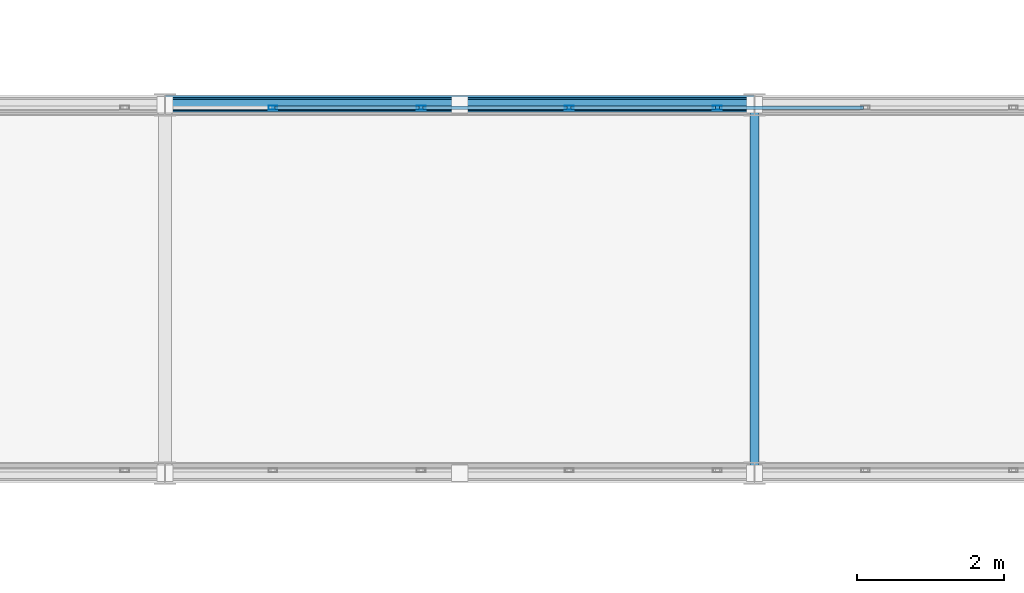
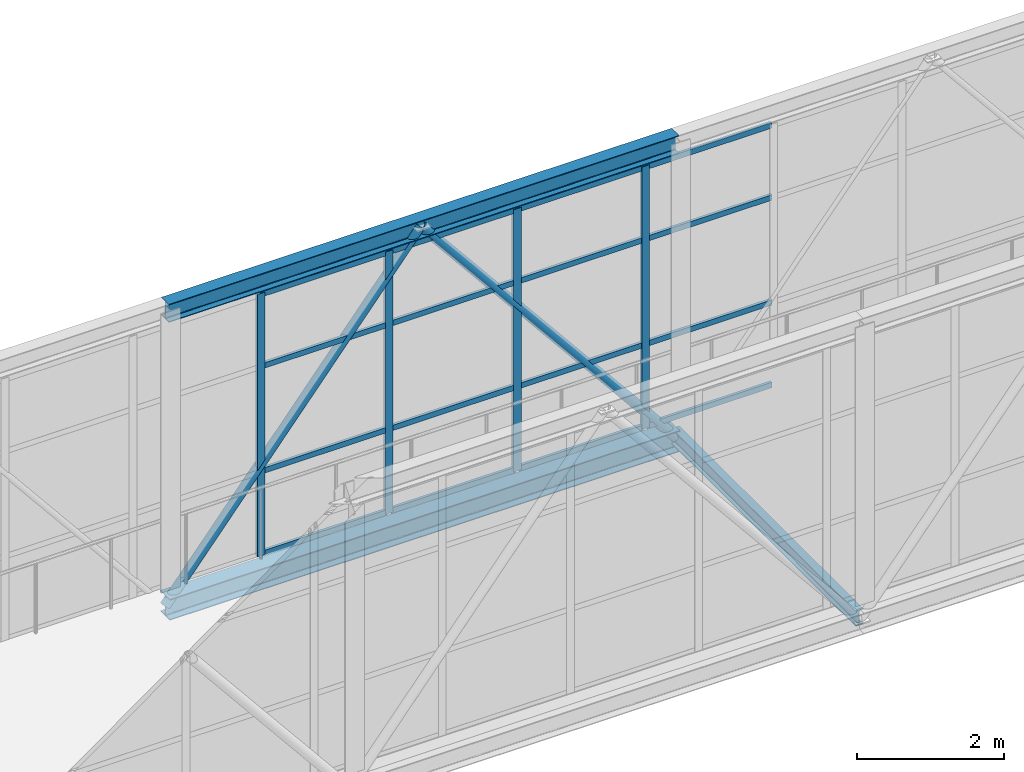
# One storey, part 94 of 248: 25 members, 1 element without a shape of its own.
"""IFC4 building model written with IfcOpenShell, lengths in metres."""

from ifc_helpers import new_model, si_unit, direction, frame, origin, origin_2d, place, context, subcontext, project, spatial, hollow_rectangle, hollow_circle, i_section, extrude, material, layer, layer_set, material_profile, profile_set, type_object, element, aggregate, save


model = new_model("IFC4")

# Units and contexts
model_context = context("Model", 3, precision=1e-05, world=origin(), true_north=direction((0.0, 1.0)))
body_context = subcontext(model_context, "Body", "Model", "MODEL_VIEW")
ifc_project = project(units=[si_unit("LENGTHUNIT", "METRE"), si_unit("AREAUNIT", "SQUARE_METRE"), si_unit("VOLUMEUNIT", "CUBIC_METRE"), si_unit("PLANEANGLEUNIT", "RADIAN"), si_unit("MASSUNIT", "GRAM", prefix="KILO")], contexts=[model_context])

# Site, building, storey
site_placement = place(None, origin())
site = spatial("IfcSite", under=ifc_project, at=site_placement, CompositionType="ELEMENT")
building_placement = place(site_placement, origin())
building = spatial("IfcBuilding", under=site, at=building_placement, Name="Canggui Botanical Conservatory", CompositionType="ELEMENT")
storey_placement = place(building_placement, frame((0.0, 0.0, 5.39990234375)))
storey = spatial("IfcBuildingStorey", under=building, at=storey_placement, Name="L02", CompositionType="ELEMENT", Elevation=5.39990234375)

# Curtain wall, members
ifc_material_1 = material(Name="Thermally Broken Aluminium", Category="aluminium")
ifc_layer = layer(ifc_material_1, 0.1201171875, Name="Thermally Broken Aluminium", Category="aluminium")
ifc_layer_set = layer_set([ifc_layer], Name="Thermally Broken Aluminium")
curtain_wall_type = type_object("IfcCurtainWallType", Name="CW-STICK-B", PredefinedType="USERDEFINED", material=ifc_layer_set)
curtain_wall_placement = place(storey_placement, origin())
curtain_wall = element("IfcCurtainWall", 1, at=curtain_wall_placement, inside=storey, type_object=curtain_wall_type, Name="Facade Curtain Wall CW-SB-01-2", ObjectType="STICK GLAZED WALL", PredefinedType="USERDEFINED")
ifc_material_profile_1 = material_profile(ifc_material_1, hollow_rectangle(XDim=0.054931640625, YDim=0.1201171875, WallThickness=0.0029296875, at=origin_2d()), Name="CWM 55x120x3")
ifc_profile_set_1 = profile_set([ifc_material_profile_1], Name="Thermally Broken Aluminium")
member_type_1 = type_object("IfcMemberType", Name="CWM-05", PredefinedType="MULLION", material=ifc_profile_set_1)
member_1_placement = place(storey_placement, frame((90.966064453125, 30.9599609375, 0.0), z_axis=(0.0, 0.0, 1.0), x_axis=(0.0, 1.0, 0.0)))
member_1 = element("IfcMember", 2, at=member_1_placement, type_object=member_type_1, Name="CW-05 mullion 13", PredefinedType="MULLION", context=body_context, shape_type="SweptSolid", body=[
    extrude(hollow_rectangle(XDim=0.054931640625, YDim=0.1201171875, WallThickness=0.0029296875, at=origin_2d()), origin(), (0.0, 0.0, 1.0), 4.35009765625),
])
member_2_placement = place(storey_placement, frame((92.975830078125, 30.9599609375, 0.0), z_axis=(0.0, 0.0, 1.0), x_axis=(0.0, 1.0, 0.0)))
member_2 = element("IfcMember", 3, at=member_2_placement, type_object=member_type_1, Name="CW-05 mullion 14", PredefinedType="MULLION", context=body_context, shape_type="SweptSolid", body=[
    extrude(hollow_rectangle(XDim=0.054931640625, YDim=0.1201171875, WallThickness=0.0029296875, at=origin_2d()), origin(), (0.0, 0.0, 1.0), 4.35009765625),
])
member_3_placement = place(storey_placement, frame((94.985595703125, 30.9599609375, 0.0), z_axis=(0.0, 0.0, 1.0), x_axis=(0.0, 1.0, 0.0)))
member_3 = element("IfcMember", 4, at=member_3_placement, type_object=member_type_1, Name="CW-05 mullion 15", PredefinedType="MULLION", context=body_context, shape_type="SweptSolid", body=[
    extrude(hollow_rectangle(XDim=0.054931640625, YDim=0.1201171875, WallThickness=0.0029296875, at=origin_2d()), origin(), (0.0, 0.0, 1.0), 4.35009765625),
])
member_4_placement = place(storey_placement, frame((96.9951171875, 30.9599609375, 0.0), z_axis=(0.0, 0.0, 1.0), x_axis=(0.0, 1.0, 0.0)))
member_4 = element("IfcMember", 5, at=member_4_placement, type_object=member_type_1, Name="CW-05 mullion 16", PredefinedType="MULLION", context=body_context, shape_type="SweptSolid", body=[
    extrude(hollow_rectangle(XDim=0.054931640625, YDim=0.1201171875, WallThickness=0.0029296875, at=origin_2d()), origin(), (0.0, 0.0, 1.0), 4.35009765625),
])
ifc_material_profile_2 = material_profile(ifc_material_1, hollow_rectangle(XDim=0.044921875, YDim=0.090087890625, WallThickness=0.0029296875, at=origin_2d()), Name="CWT 45x90x3")
ifc_profile_set_2 = profile_set([ifc_material_profile_2], Name="Thermally Broken Aluminium")
member_type_2 = type_object("IfcMemberType", Name="CWT-05", PredefinedType="USERDEFINED", material=ifc_profile_set_2)
member_5_placement = place(storey_placement, frame((90.99365234375, 30.9599609375, 0.022705078125), z_axis=(1.0, 0.0, 0.0), x_axis=(0.0, 1.0, 0.0)))
member_5 = element("IfcMember", 6, at=member_5_placement, type_object=member_type_2, Name="CW-05 transom 13.1", ObjectType="TRANSOM", PredefinedType="USERDEFINED", context=body_context, shape_type="SweptSolid", body=[
    extrude(hollow_rectangle(XDim=0.044921875, YDim=0.090087890625, WallThickness=0.0029296875, at=origin_2d()), origin(), (0.0, 0.0, 1.0), 1.95458984375),
])
member_6_placement = place(storey_placement, frame((90.99365234375, 30.9599609375, 1.39208984375), z_axis=(1.0, 0.0, 0.0), x_axis=(0.0, 1.0, 0.0)))
member_6 = element("IfcMember", 7, at=member_6_placement, type_object=member_type_2, Name="CW-05 transom 13.2", ObjectType="TRANSOM", PredefinedType="USERDEFINED", context=body_context, shape_type="SweptSolid", body=[
    extrude(hollow_rectangle(XDim=0.044921875, YDim=0.090087890625, WallThickness=0.0029296875, at=origin_2d()), origin(), (0.0, 0.0, 1.0), 1.95458984375),
])
member_7_placement = place(storey_placement, frame((90.99365234375, 30.9599609375, 3.132080078125), z_axis=(1.0, 0.0, 0.0), x_axis=(0.0, 1.0, 0.0)))
member_7 = element("IfcMember", 8, at=member_7_placement, type_object=member_type_2, Name="CW-05 transom 13.3", ObjectType="TRANSOM", PredefinedType="USERDEFINED", context=body_context, shape_type="SweptSolid", body=[
    extrude(hollow_rectangle(XDim=0.044921875, YDim=0.090087890625, WallThickness=0.0029296875, at=origin_2d()), origin(), (0.0, 0.0, 1.0), 1.95458984375),
])
member_8_placement = place(storey_placement, frame((90.99365234375, 30.9599609375, 4.32763671875), z_axis=(1.0, 0.0, 0.0), x_axis=(0.0, 1.0, 0.0)))
member_8 = element("IfcMember", 9, at=member_8_placement, type_object=member_type_2, Name="CW-05 transom 13.4", ObjectType="TRANSOM", PredefinedType="USERDEFINED", context=body_context, shape_type="SweptSolid", body=[
    extrude(hollow_rectangle(XDim=0.044921875, YDim=0.090087890625, WallThickness=0.0029296875, at=origin_2d()), origin(), (0.0, 0.0, 1.0), 1.95458984375),
])
member_9_placement = place(storey_placement, frame((93.00341796875, 30.9599609375, 0.022705078125), z_axis=(1.0, 0.0, 0.0), x_axis=(0.0, 1.0, 0.0)))
member_9 = element("IfcMember", 10, at=member_9_placement, type_object=member_type_2, Name="CW-05 transom 14.1", ObjectType="TRANSOM", PredefinedType="USERDEFINED", context=body_context, shape_type="SweptSolid", body=[
    extrude(hollow_rectangle(XDim=0.044921875, YDim=0.090087890625, WallThickness=0.0029296875, at=origin_2d()), origin(), (0.0, 0.0, 1.0), 1.95458984375),
])
member_10_placement = place(storey_placement, frame((93.00341796875, 30.9599609375, 1.39208984375), z_axis=(1.0, 0.0, 0.0), x_axis=(0.0, 1.0, 0.0)))
member_10 = element("IfcMember", 11, at=member_10_placement, type_object=member_type_2, Name="CW-05 transom 14.2", ObjectType="TRANSOM", PredefinedType="USERDEFINED", context=body_context, shape_type="SweptSolid", body=[
    extrude(hollow_rectangle(XDim=0.044921875, YDim=0.090087890625, WallThickness=0.0029296875, at=origin_2d()), origin(), (0.0, 0.0, 1.0), 1.95458984375),
])
member_11_placement = place(storey_placement, frame((93.00341796875, 30.9599609375, 3.132080078125), z_axis=(1.0, 0.0, 0.0), x_axis=(0.0, 1.0, 0.0)))
member_11 = element("IfcMember", 12, at=member_11_placement, type_object=member_type_2, Name="CW-05 transom 14.3", ObjectType="TRANSOM", PredefinedType="USERDEFINED", context=body_context, shape_type="SweptSolid", body=[
    extrude(hollow_rectangle(XDim=0.044921875, YDim=0.090087890625, WallThickness=0.0029296875, at=origin_2d()), origin(), (0.0, 0.0, 1.0), 1.95458984375),
])
member_12_placement = place(storey_placement, frame((93.00341796875, 30.9599609375, 4.32763671875), z_axis=(1.0, 0.0, 0.0), x_axis=(0.0, 1.0, 0.0)))
member_12 = element("IfcMember", 13, at=member_12_placement, type_object=member_type_2, Name="CW-05 transom 14.4", ObjectType="TRANSOM", PredefinedType="USERDEFINED", context=body_context, shape_type="SweptSolid", body=[
    extrude(hollow_rectangle(XDim=0.044921875, YDim=0.090087890625, WallThickness=0.0029296875, at=origin_2d()), origin(), (0.0, 0.0, 1.0), 1.95458984375),
])
member_13_placement = place(storey_placement, frame((95.012939453125, 30.9599609375, 0.022705078125), z_axis=(1.0, 0.0, 0.0), x_axis=(0.0, 1.0, 0.0)))
member_13 = element("IfcMember", 14, at=member_13_placement, type_object=member_type_2, Name="CW-05 transom 15.1", ObjectType="TRANSOM", PredefinedType="USERDEFINED", context=body_context, shape_type="SweptSolid", body=[
    extrude(hollow_rectangle(XDim=0.044921875, YDim=0.090087890625, WallThickness=0.0029296875, at=origin_2d()), origin(), (0.0, 0.0, 1.0), 1.954833984375),
])
member_14_placement = place(storey_placement, frame((95.012939453125, 30.9599609375, 1.39208984375), z_axis=(1.0, 0.0, 0.0), x_axis=(0.0, 1.0, 0.0)))
member_14 = element("IfcMember", 15, at=member_14_placement, type_object=member_type_2, Name="CW-05 transom 15.2", ObjectType="TRANSOM", PredefinedType="USERDEFINED", context=body_context, shape_type="SweptSolid", body=[
    extrude(hollow_rectangle(XDim=0.044921875, YDim=0.090087890625, WallThickness=0.0029296875, at=origin_2d()), origin(), (0.0, 0.0, 1.0), 1.954833984375),
])
member_15_placement = place(storey_placement, frame((95.012939453125, 30.9599609375, 3.132080078125), z_axis=(1.0, 0.0, 0.0), x_axis=(0.0, 1.0, 0.0)))
member_15 = element("IfcMember", 16, at=member_15_placement, type_object=member_type_2, Name="CW-05 transom 15.3", ObjectType="TRANSOM", PredefinedType="USERDEFINED", context=body_context, shape_type="SweptSolid", body=[
    extrude(hollow_rectangle(XDim=0.044921875, YDim=0.090087890625, WallThickness=0.0029296875, at=origin_2d()), origin(), (0.0, 0.0, 1.0), 1.954833984375),
])
member_16_placement = place(storey_placement, frame((95.012939453125, 30.9599609375, 4.32763671875), z_axis=(1.0, 0.0, 0.0), x_axis=(0.0, 1.0, 0.0)))
member_16 = element("IfcMember", 17, at=member_16_placement, type_object=member_type_2, Name="CW-05 transom 15.4", ObjectType="TRANSOM", PredefinedType="USERDEFINED", context=body_context, shape_type="SweptSolid", body=[
    extrude(hollow_rectangle(XDim=0.044921875, YDim=0.090087890625, WallThickness=0.0029296875, at=origin_2d()), origin(), (0.0, 0.0, 1.0), 1.954833984375),
])
member_17_placement = place(storey_placement, frame((97.022705078125, 30.9599609375, 0.022705078125), z_axis=(1.0, 0.0, 0.0), x_axis=(0.0, 1.0, 0.0)))
member_17 = element("IfcMember", 18, at=member_17_placement, type_object=member_type_2, Name="CW-05 transom 16.1", ObjectType="TRANSOM", PredefinedType="USERDEFINED", context=body_context, shape_type="SweptSolid", body=[
    extrude(hollow_rectangle(XDim=0.044921875, YDim=0.090087890625, WallThickness=0.0029296875, at=origin_2d()), origin(), (0.0, 0.0, 1.0), 1.95458984375),
])
member_18_placement = place(storey_placement, frame((97.022705078125, 30.9599609375, 1.39208984375), z_axis=(1.0, 0.0, 0.0), x_axis=(0.0, 1.0, 0.0)))
member_18 = element("IfcMember", 19, at=member_18_placement, type_object=member_type_2, Name="CW-05 transom 16.2", ObjectType="TRANSOM", PredefinedType="USERDEFINED", context=body_context, shape_type="SweptSolid", body=[
    extrude(hollow_rectangle(XDim=0.044921875, YDim=0.090087890625, WallThickness=0.0029296875, at=origin_2d()), origin(), (0.0, 0.0, 1.0), 1.95458984375),
])
member_19_placement = place(storey_placement, frame((97.022705078125, 30.9599609375, 3.132080078125), z_axis=(1.0, 0.0, 0.0), x_axis=(0.0, 1.0, 0.0)))
member_19 = element("IfcMember", 20, at=member_19_placement, type_object=member_type_2, Name="CW-05 transom 16.3", ObjectType="TRANSOM", PredefinedType="USERDEFINED", context=body_context, shape_type="SweptSolid", body=[
    extrude(hollow_rectangle(XDim=0.044921875, YDim=0.090087890625, WallThickness=0.0029296875, at=origin_2d()), origin(), (0.0, 0.0, 1.0), 1.95458984375),
])
member_20_placement = place(storey_placement, frame((97.022705078125, 30.9599609375, 4.32763671875), z_axis=(1.0, 0.0, 0.0), x_axis=(0.0, 1.0, 0.0)))
member_20 = element("IfcMember", 21, at=member_20_placement, type_object=member_type_2, Name="CW-05 transom 16.4", ObjectType="TRANSOM", PredefinedType="USERDEFINED", context=body_context, shape_type="SweptSolid", body=[
    extrude(hollow_rectangle(XDim=0.044921875, YDim=0.090087890625, WallThickness=0.0029296875, at=origin_2d()), origin(), (0.0, 0.0, 1.0), 1.95458984375),
])
aggregate(curtain_wall, [member_1, member_2, member_3, member_4, member_5, member_6, member_7, member_8, member_9, member_10, member_11, member_12, member_13, member_14, member_15, member_16, member_17, member_18, member_19, member_20])

# Members
ifc_material_2 = material(Name="Steel Q355C", Category="steel")
ifc_material_profile_3 = material_profile(ifc_material_2, hollow_circle(Radius=0.075927734375, WallThickness=0.006103515625, at=origin_2d()), Name="CHS 152x6")
ifc_profile_set_3 = profile_set([ifc_material_profile_3], Name="Steel Q355C")
member_type_3 = type_object("IfcMemberType", Name="MEM-GSD04", PredefinedType="RAFTER", material=ifc_profile_set_3)
for number, where, z_axis, x_axis, name in (
    (22, (89.5, 31.0, -0.349853515625), (0.632384053133, 0.0, 0.774655026024), (0.0, 1.0, 0.0), "SB-01 Truss Web Rafter 2.4A"),
    (23, (93.5, 31.0, 4.550048828125), (0.632384053133, 0.0, -0.774655026024), (0.0, 1.0, 0.0), "SB-01 Truss Web Rafter 2.4B"),
):
    element("IfcMember", number, at=place(storey_placement, frame(where, z_axis=z_axis, x_axis=x_axis)), inside=storey, type_object=member_type_3, Name=name, PredefinedType="RAFTER", context=body_context, shape_type="SweptSolid", body=[
        extrude(hollow_circle(Radius=0.075927734375, WallThickness=0.006103515625, at=origin_2d()), origin(), (0.0, 0.0, 1.0), 6.3251953125),
    ])
ifc_material_3 = material(Name="Steel Q355B", Category="steel")
ifc_material_profile_4 = material_profile(ifc_material_3, i_section(OverallWidth=0.125, OverallDepth=0.25, WebThickness=0.006103515625, FlangeThickness=0.009033203125, FilletRadius=0.011962890625, at=origin_2d()), Name="HN 250x125x6x9")
ifc_profile_set_4 = profile_set([ifc_material_profile_4], Name="Steel Q355B")
member_type_4 = type_object("IfcMemberType", Name="MEM-STR01", PredefinedType="STRINGER", material=ifc_profile_set_4)
member_21_placement = place(storey_placement, frame((97.5, 26.0, -0.31982421875), z_axis=(0.0, 1.0, 0.0), x_axis=(-1.0, 0.0, 0.0)))
element("IfcMember", 24, at=member_21_placement, inside=storey, type_object=member_type_4, Name="SB-01 Deck Transverse Stringer 4", PredefinedType="STRINGER", context=body_context, shape_type="SweptSolid", body=[
    extrude(i_section(OverallWidth=0.125, OverallDepth=0.25, WebThickness=0.006103515625, FlangeThickness=0.009033203125, FilletRadius=0.011962890625, at=origin_2d()), origin(), (0.0, 0.0, 1.0), 5.0),
])
ifc_material_profile_5 = material_profile(ifc_material_3, i_section(OverallWidth=0.25, OverallDepth=0.35009765625, WebThickness=0.009033203125, FlangeThickness=0.013916015625, FilletRadius=0.02001953125, at=origin_2d()), Name="HM 350x250x9x14")
ifc_profile_set_5 = profile_set([ifc_material_profile_5], Name="Steel Q355B")
member_type_5 = type_object("IfcMemberType", Name="MEM-TC03", PredefinedType="CHORD", material=ifc_profile_set_5)
member_22_placement = place(storey_placement, frame((89.5, 31.0, -0.349853515625), z_axis=(1.0, 0.0, 0.0), x_axis=(0.0, 1.0, 0.0)))
element("IfcMember", 25, at=member_22_placement, inside=storey, type_object=member_type_5, Name="SB-01 Deck Truss Bottom Chord 2.4", PredefinedType="CHORD", context=body_context, shape_type="SweptSolid", body=[
    extrude(i_section(OverallWidth=0.25, OverallDepth=0.35009765625, WebThickness=0.009033203125, FlangeThickness=0.013916015625, FilletRadius=0.02001953125, at=origin_2d()), origin(), (0.0, 0.0, 1.0), 8.0),
])
ifc_material_profile_6 = material_profile(ifc_material_3, i_section(OverallWidth=0.199951171875, OverallDepth=0.300048828125, WebThickness=0.008056640625, FlangeThickness=0.011962890625, FilletRadius=0.01806640625, at=origin_2d()), Name="HM 300x200x8x12")
ifc_profile_set_6 = profile_set([ifc_material_profile_6], Name="Steel Q355B")
member_type_6 = type_object("IfcMemberType", Name="MEM-TC04", PredefinedType="CHORD", material=ifc_profile_set_6)
member_23_placement = place(storey_placement, frame((89.5, 31.0, 4.550048828125), z_axis=(1.0, 0.0, 0.0), x_axis=(0.0, 1.0, 0.0)))
element("IfcMember", 26, at=member_23_placement, inside=storey, type_object=member_type_6, Name="SB-01 Roof Truss Top Chord 2.4", PredefinedType="CHORD", context=body_context, shape_type="SweptSolid", body=[
    extrude(i_section(OverallWidth=0.199951171875, OverallDepth=0.300048828125, WebThickness=0.008056640625, FlangeThickness=0.011962890625, FilletRadius=0.01806640625, at=origin_2d()), origin(), (0.0, 0.0, 1.0), 8.0),
])

save(model, "model.ifc")
